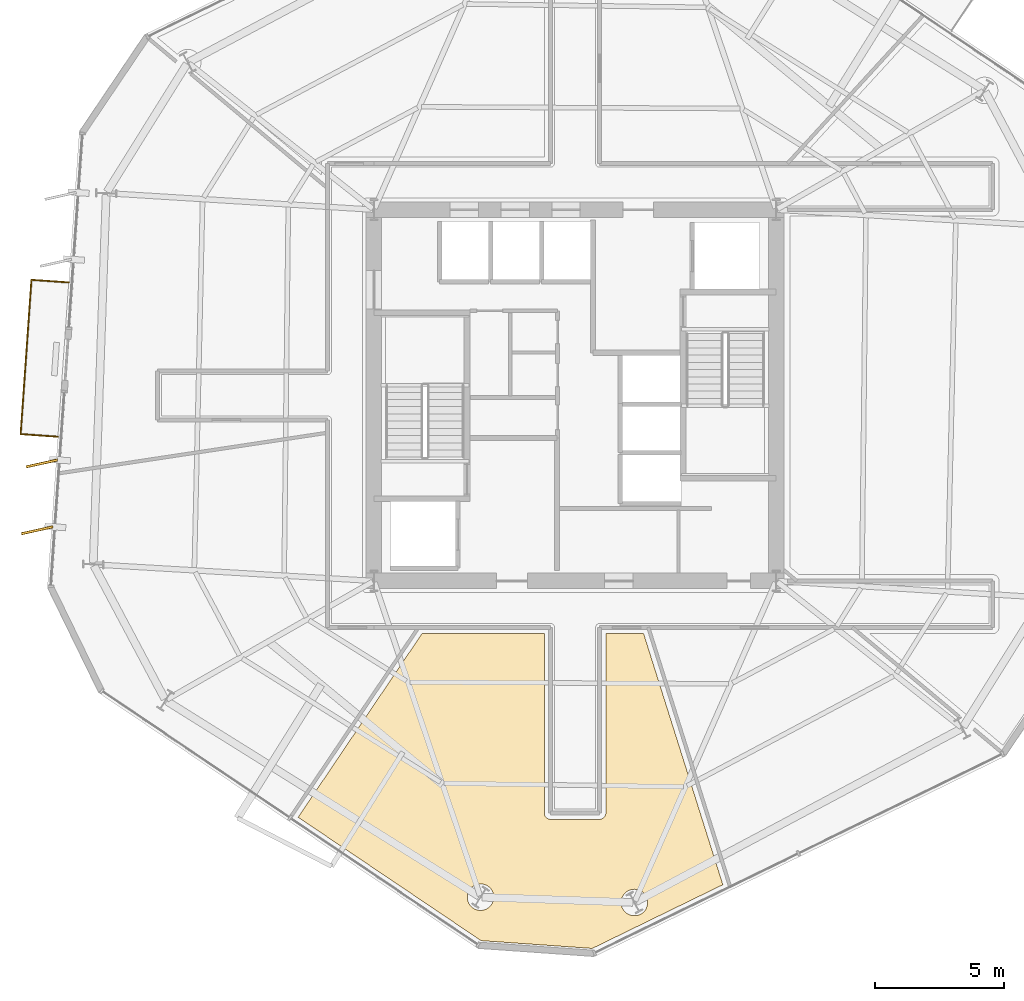
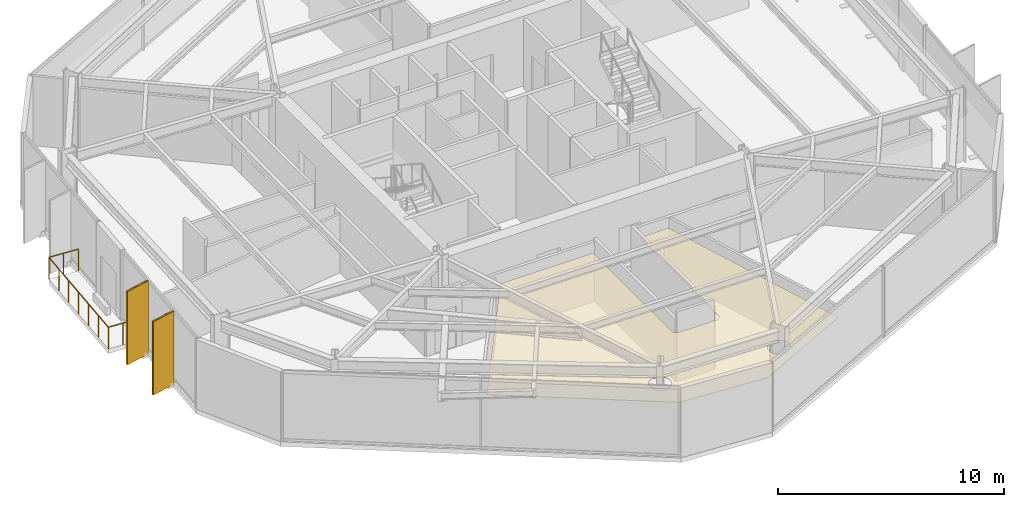
# One storey, part 10 of 14: 3 coverings, 2 shading devices, 1 railing.
"""IFC4 building model written with IfcOpenShell, lengths in metres."""

from ifc_helpers import new_model, si_unit, direction, frame, origin, origin_2d, place, context, subcontext, project, spatial, polyline, rectangle, circle, outline, extrude, material, layer, layer_set, type_object, element, save


model = new_model("IFC4")

# Units and contexts
model_context = context("Model", 3, precision=1e-05, world=origin(), true_north=direction((0.0, 1.0)))
body_context = subcontext(model_context, "Body", "Model", "MODEL_VIEW")
ifc_project = project(units=[si_unit("LENGTHUNIT", "METRE"), si_unit("AREAUNIT", "SQUARE_METRE"), si_unit("VOLUMEUNIT", "CUBIC_METRE"), si_unit("PLANEANGLEUNIT", "RADIAN"), si_unit("MASSUNIT", "GRAM", prefix="KILO")], contexts=[model_context])

# Site, building, storey
site_placement = place(None, origin())
site = spatial("IfcSite", under=ifc_project, at=site_placement, CompositionType="ELEMENT")
building_placement = place(site_placement, origin())
building = spatial("IfcBuilding", under=site, at=building_placement, Name="Kranzbogen Civic Tower", CompositionType="ELEMENT")
storey_placement = place(building_placement, frame((0.0, 0.0, 126.39990234375)))
storey = spatial("IfcBuildingStorey", under=building, at=storey_placement, Name="L30", CompositionType="ELEMENT", Elevation=126.39990234375)

# Coverings
ifc_material_1 = material(Name="Pale Anodised Aluminium", Category="aluminium")
ifc_layer_1 = layer(ifc_material_1, 0.02490234375, Name="Pale Anodised Aluminium")
ifc_layer_set_1 = layer_set([ifc_layer_1], Name="Pale Anodised Aluminium")
covering_type_1 = type_object("IfcCoveringType", Name="Anodised Aluminium Vertical Fin Cladding 25 mm", PredefinedType="CLADDING", material=ifc_layer_set_1)
for number, where, z_axis, x_axis, name in (
    (1, (4.31591796875, 22.360107421875, -0.139892578125), (0.0, 0.0, 1.0), (-0.976529645679, -0.215383033477, 0.0), "L30 vertical fin pale-metal cladding F3-5"),
    (2, (4.134033203125, 19.76611328125, -0.139892578125), (0.0, 0.0, 1.0), (-0.976529645679, -0.215383033477, 0.0), "L30 vertical fin pale-metal cladding F3-6"),
):
    element("IfcCovering", number, at=place(storey_placement, frame(where, z_axis=z_axis, x_axis=x_axis)), inside=storey, type_object=covering_type_1, Name=name, PredefinedType="CLADDING", context=body_context, shape_type="SweptSolid", body=[
        extrude(rectangle(XDim=1.25, YDim=0.10009765625, at=origin_2d()), origin(), (0.0, 0.0, 1.0), 3.9599609375),
    ])

# Shading devices
ifc_material_2 = material(Name="Anodised Bronze Aluminium", Category="aluminium")
shading_device_type = type_object("IfcShadingDeviceType", Name="Anodised Bronze Vertical Facade Fin 1250x80", PredefinedType="USERDEFINED", material=ifc_material_2)
for number, where, z_axis, x_axis, name in (
    (3, (4.31591796875, 22.360107421875, -0.139892578125), (0.0, 0.0, 1.0), (-0.976529645679, -0.215383033477, 0.0), "L30 vertical exterior shading fin F3-5"),
    (4, (4.134033203125, 19.76611328125, -0.139892578125), (0.0, 0.0, 1.0), (-0.976529645679, -0.215383033477, 0.0), "L30 vertical exterior shading fin F3-6"),
):
    element("IfcShadingDevice", number, at=place(storey_placement, frame(where, z_axis=z_axis, x_axis=x_axis)), inside=storey, type_object=shading_device_type, Name=name, ObjectType="FIN", PredefinedType="USERDEFINED", context=body_context, shape_type="SweptSolid", body=[
        extrude(rectangle(XDim=1.25, YDim=0.080078125, at=origin_2d()), origin(), (0.0, 0.0, 1.0), 3.9599609375),
    ])

# Railing
railing_type = type_object("IfcRailingType", Name="Cantilevered Balcony Glass and Bronze Balustrade 1200", PredefinedType="BALUSTRADE", material=ifc_material_2)
railing_placement = place(storey_placement, frame((5.35791015625, 29.381103515625, 0.0)))
element("IfcRailing", 5, at=railing_placement, inside=storey, type_object=railing_type, Name="L30 exterior terrace balustrade L30-TB1", PredefinedType="BALUSTRADE", context=body_context, shape_type="SweptSolid", body=[
    extrude(circle(Radius=0.02392578125, at=origin_2d()), frame((0.0, 0.0, 1.17578125), z_axis=(-0.997577004396, 0.06957097312, 0.0), x_axis=(-0.06957097312, -0.997577004396, 0.0)), (0.0, 0.0, 1.0), 1.44921875),
    extrude(circle(Radius=0.02392578125, at=origin_2d()), frame((-1.44580078125, 0.100830078125, 1.17578125), z_axis=(-0.069859089027, -0.997556869397, 0.0), x_axis=(0.997556869397, -0.069859089027, 0.0)), (0.0, 0.0, 1.0), 6.00048828125),
    extrude(circle(Radius=0.02392578125, at=origin_2d()), frame((-1.864990234375, -5.885009765625, 1.17578125), z_axis=(0.997566118474, -0.069726890604, 0.0), x_axis=(0.069726890604, 0.997566118474, 0.0)), (0.0, 0.0, 1.0), 1.449462890625),
    extrude(circle(Radius=0.02099609375, at=origin_2d()), origin(), (0.0, 0.0, 1.0), 1.15185546875),
    extrude(circle(Radius=0.02099609375, at=origin_2d()), frame((-0.722900390625, 0.05029296875, 0.0)), (0.0, 0.0, 1.0), 1.15185546875),
    extrude(circle(Radius=0.02099609375, at=origin_2d()), frame((-1.44580078125, 0.100830078125, 0.0)), (0.0, 0.0, 1.0), 1.15185546875),
    extrude(circle(Radius=0.02099609375, at=origin_2d()), frame((-1.515625, -0.896728515625, 0.0)), (0.0, 0.0, 1.0), 1.15185546875),
    extrude(circle(Radius=0.02099609375, at=origin_2d()), frame((-1.58544921875, -1.89453125, 0.0)), (0.0, 0.0, 1.0), 1.15185546875),
    extrude(circle(Radius=0.02099609375, at=origin_2d()), frame((-1.6552734375, -2.89208984375, 0.0)), (0.0, 0.0, 1.0), 1.15185546875),
    extrude(circle(Radius=0.02099609375, at=origin_2d()), frame((-1.725341796875, -3.8896484375, 0.0)), (0.0, 0.0, 1.0), 1.15185546875),
    extrude(circle(Radius=0.02099609375, at=origin_2d()), frame((-1.795166015625, -4.887451171875, 0.0)), (0.0, 0.0, 1.0), 1.15185546875),
    extrude(circle(Radius=0.02099609375, at=origin_2d()), frame((-1.864990234375, -5.885009765625, 0.0)), (0.0, 0.0, 1.0), 1.15185546875),
    extrude(circle(Radius=0.02099609375, at=origin_2d()), frame((-1.14208984375, -5.935546875, 0.0)), (0.0, 0.0, 1.0), 1.15185546875),
    extrude(circle(Radius=0.02099609375, at=origin_2d()), frame((-0.4189453125, -5.986083984375, 0.0)), (0.0, 0.0, 1.0), 1.15185546875),
])

# Covering
ifc_material_3 = material(Name="Perforated Acoustic Gypsum Ceiling")
ifc_layer_2 = layer(ifc_material_3, 0.02490234375, Name="Perforated Acoustic Gypsum Ceiling")
ifc_layer_set_2 = layer_set([ifc_layer_2], Name="Perforated Acoustic Gypsum Ceiling")
covering_type_2 = type_object("IfcCoveringType", Name="Perforated Acoustic Mineral Ceiling Tile 25 mm", PredefinedType="CEILING", material=ifc_layer_set_2)
covering_placement = place(storey_placement, frame((0.0, 0.0, 2.75)))
element("IfcCovering", 6, at=covering_placement, inside=storey, type_object=covering_type_2, Name="L30 Parliamentary Review Boardroom acoustic ceiling", PredefinedType="CEILING", context=body_context, shape_type="SweptSolid", body=[
    extrude(outline(polyline([(21.35302734375, 3.847900390625), (14.257080078125, 8.634033203125), (19.06005859375, 15.7548828125), (23.804931640625, 15.7548828125), (23.804931640625, 8.800048828125), (23.804931640625, 8.791015625), (23.805908203125, 8.784912109375), (23.806884765625, 8.76708984375), (23.80810546875, 8.760986328125), (23.81201171875, 8.743896484375), (23.81298828125, 8.737060546875), (23.818115234375, 8.719970703125), (23.820068359375, 8.714111328125), (23.826904296875, 8.697998046875), (23.830078125, 8.69189453125), (23.837890625, 8.677001953125), (23.842041015625, 8.6708984375), (23.85107421875, 8.656982421875), (23.85498046875, 8.652099609375), (23.865966796875, 8.637939453125), (23.87109375, 8.633056640625), (23.883056640625, 8.62109375), (23.887939453125, 8.615966796875), (23.902099609375, 8.60498046875), (23.906982421875, 8.60107421875), (23.9208984375, 8.592041015625), (23.927001953125, 8.587890625), (23.94189453125, 8.580078125), (23.947998046875, 8.576904296875), (23.964111328125, 8.570068359375), (23.969970703125, 8.568115234375), (23.987060546875, 8.56298828125), (23.993896484375, 8.56201171875), (24.010986328125, 8.55810546875), (24.01708984375, 8.556884765625), (24.034912109375, 8.555908203125), (24.041015625, 8.554931640625), (24.050048828125, 8.554931640625), (25.949951171875, 8.554931640625), (25.958984375, 8.554931640625), (25.965087890625, 8.555908203125), (25.98291015625, 8.556884765625), (25.989013671875, 8.55810546875), (26.006103515625, 8.56201171875), (26.012939453125, 8.56298828125), (26.030029296875, 8.568115234375), (26.035888671875, 8.570068359375), (26.052001953125, 8.576904296875), (26.05810546875, 8.580078125), (26.072998046875, 8.587890625), (26.0791015625, 8.592041015625), (26.093017578125, 8.60107421875), (26.097900390625, 8.60498046875), (26.112060546875, 8.615966796875), (26.116943359375, 8.62109375), (26.12890625, 8.633056640625), (26.134033203125, 8.637939453125), (26.14501953125, 8.652099609375), (26.14892578125, 8.656982421875), (26.157958984375, 8.6708984375), (26.162109375, 8.677001953125), (26.169921875, 8.69189453125), (26.173095703125, 8.697998046875), (26.179931640625, 8.714111328125), (26.181884765625, 8.719970703125), (26.18701171875, 8.737060546875), (26.18798828125, 8.743896484375), (26.19189453125, 8.760986328125), (26.193115234375, 8.76708984375), (26.194091796875, 8.784912109375), (26.195068359375, 8.791015625), (26.195068359375, 8.800048828125), (26.195068359375, 15.7548828125), (27.659912109375, 15.7548828125), (30.73291015625, 6.01708984375), (25.66796875, 3.5458984375), (21.35302734375, 3.847900390625)]), holes=[polyline([(21.806884765625, 5.339111328125), (21.785888671875, 5.2939453125), (21.760009765625, 5.25), (21.72998046875, 5.2099609375), (21.696044921875, 5.172119140625), (21.657958984375, 5.137939453125), (21.617919921875, 5.10791015625), (21.573974609375, 5.08203125), (21.529052734375, 5.06103515625), (21.48095703125, 5.0439453125), (21.431884765625, 5.031982421875), (21.382080078125, 5.02392578125), (21.33203125, 5.02197265625), (21.281982421875, 5.02392578125), (21.23193359375, 5.031982421875), (21.18310546875, 5.0439453125), (21.135009765625, 5.06103515625), (21.090087890625, 5.08203125), (21.0458984375, 5.10791015625), (21.006103515625, 5.137939453125), (20.968017578125, 5.172119140625), (20.93408203125, 5.2099609375), (20.904052734375, 5.25), (20.8779296875, 5.2939453125), (20.85693359375, 5.339111328125), (20.840087890625, 5.386962890625), (20.827880859375, 5.43603515625), (20.820068359375, 5.486083984375), (20.818115234375, 5.535888671875), (20.820068359375, 5.5859375), (20.827880859375, 5.635986328125), (20.840087890625, 5.68505859375), (20.85693359375, 5.73291015625), (20.8779296875, 5.778076171875), (20.904052734375, 5.822021484375), (20.93408203125, 5.862060546875), (20.968017578125, 5.89990234375), (21.006103515625, 5.93408203125), (21.0458984375, 5.964111328125), (21.090087890625, 5.989990234375), (21.135009765625, 6.010986328125), (21.18310546875, 6.028076171875), (21.23193359375, 6.0400390625), (21.281982421875, 6.048095703125), (21.33203125, 6.050048828125), (21.382080078125, 6.048095703125), (21.431884765625, 6.0400390625), (21.48095703125, 6.028076171875), (21.529052734375, 6.010986328125), (21.573974609375, 5.989990234375), (21.617919921875, 5.964111328125), (21.657958984375, 5.93408203125), (21.696044921875, 5.89990234375), (21.72998046875, 5.862060546875), (21.760009765625, 5.822021484375), (21.785888671875, 5.778076171875), (21.806884765625, 5.73291015625), (21.823974609375, 5.68505859375), (21.8359375, 5.635986328125), (21.843994140625, 5.5859375), (21.845947265625, 5.535888671875), (21.843994140625, 5.486083984375), (21.8359375, 5.43603515625), (21.823974609375, 5.386962890625), (21.806884765625, 5.339111328125)]), polyline([(27.77587890625, 5.131103515625), (27.7548828125, 5.0859375), (27.72900390625, 5.0419921875), (27.698974609375, 5.001953125), (27.6650390625, 4.964111328125), (27.626953125, 4.929931640625), (27.5869140625, 4.89990234375), (27.54296875, 4.8740234375), (27.498046875, 4.85302734375), (27.449951171875, 4.8359375), (27.40087890625, 4.823974609375), (27.35107421875, 4.81591796875), (27.301025390625, 4.81396484375), (27.2509765625, 4.81591796875), (27.200927734375, 4.823974609375), (27.152099609375, 4.8359375), (27.10400390625, 4.85302734375), (27.05908203125, 4.8740234375), (27.014892578125, 4.89990234375), (26.97509765625, 4.929931640625), (26.93701171875, 4.964111328125), (26.903076171875, 5.001953125), (26.873046875, 5.0419921875), (26.846923828125, 5.0859375), (26.825927734375, 5.131103515625), (26.80908203125, 5.178955078125), (26.797119140625, 5.22802734375), (26.7890625, 5.278076171875), (26.787109375, 5.327880859375), (26.7890625, 5.3779296875), (26.797119140625, 5.427978515625), (26.80908203125, 5.47705078125), (26.825927734375, 5.52490234375), (26.846923828125, 5.570068359375), (26.873046875, 5.614013671875), (26.903076171875, 5.654052734375), (26.93701171875, 5.69189453125), (26.97509765625, 5.72607421875), (27.014892578125, 5.756103515625), (27.05908203125, 5.781982421875), (27.10400390625, 5.802978515625), (27.152099609375, 5.820068359375), (27.200927734375, 5.83203125), (27.2509765625, 5.840087890625), (27.301025390625, 5.842041015625), (27.35107421875, 5.840087890625), (27.40087890625, 5.83203125), (27.449951171875, 5.820068359375), (27.498046875, 5.802978515625), (27.54296875, 5.781982421875), (27.5869140625, 5.756103515625), (27.626953125, 5.72607421875), (27.6650390625, 5.69189453125), (27.698974609375, 5.654052734375), (27.72900390625, 5.614013671875), (27.7548828125, 5.570068359375), (27.77587890625, 5.52490234375), (27.79296875, 5.47705078125), (27.804931640625, 5.427978515625), (27.81298828125, 5.3779296875), (27.81494140625, 5.327880859375), (27.81298828125, 5.278076171875), (27.804931640625, 5.22802734375), (27.79296875, 5.178955078125), (27.77587890625, 5.131103515625)])]), origin(), (0.0, 0.0, 1.0), 0.025146484375),
])

save(model, "model.ifc")
